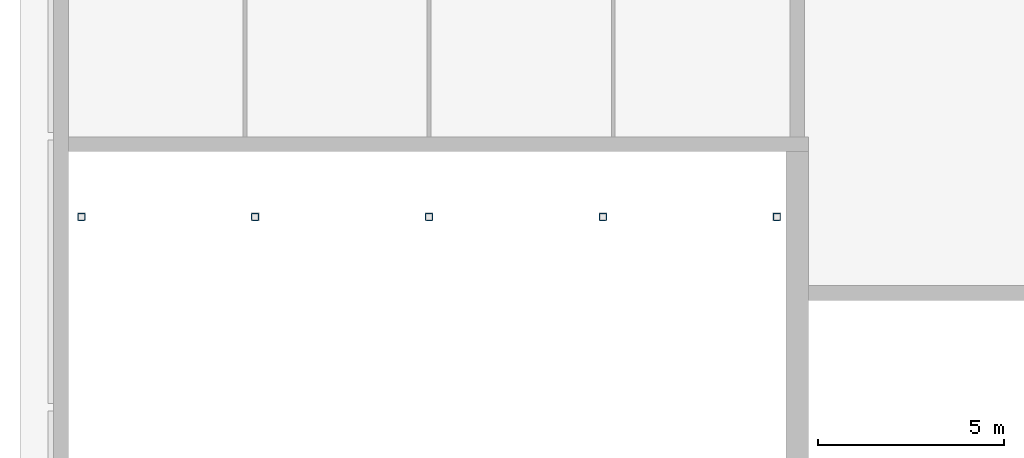
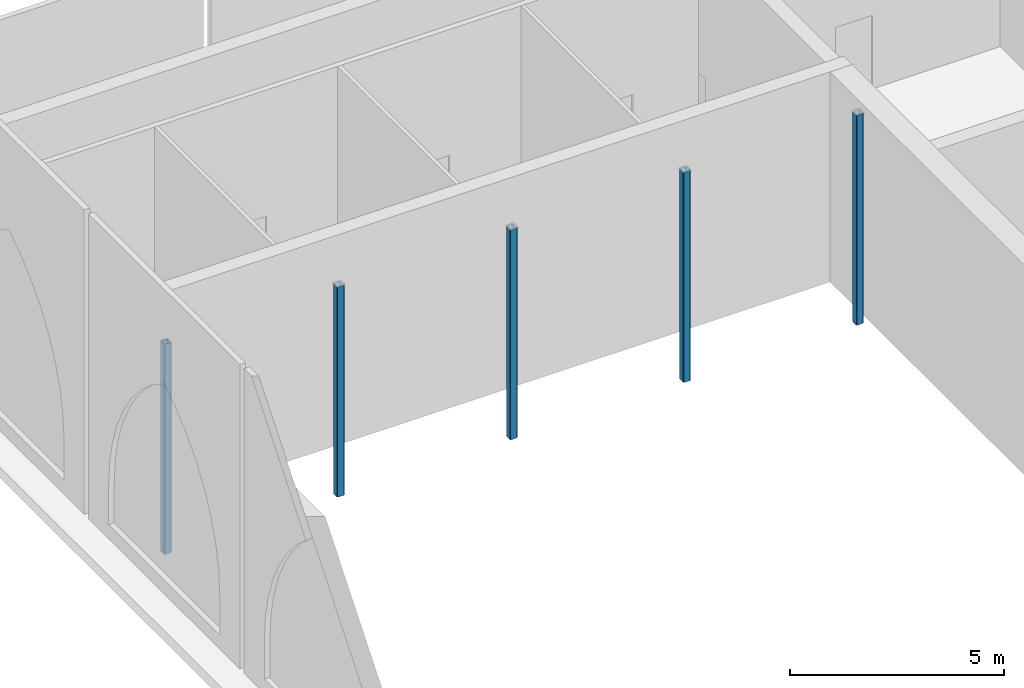
# One storey, part 3 of 74: 5 columns.
"""IFC4 building model written with IfcOpenShell, lengths in metres."""

from ifc_helpers import new_model, si_unit, direction, frame, origin, origin_2d, place, context, subcontext, project, spatial, hollow_rectangle, extrude, material, material_profile, profile_set, type_object, element, save


model = new_model("IFC4")

# Units and contexts
model_context = context("Model", 3, precision=1e-05, world=origin(), true_north=direction((0.0, 1.0)))
body_context = subcontext(model_context, "Body", "Model", "MODEL_VIEW")
ifc_project = project(units=[si_unit("LENGTHUNIT", "METRE"), si_unit("AREAUNIT", "SQUARE_METRE"), si_unit("VOLUMEUNIT", "CUBIC_METRE"), si_unit("PLANEANGLEUNIT", "RADIAN"), si_unit("MASSUNIT", "GRAM", prefix="KILO")], contexts=[model_context])

# Site, building, storey
site_placement = place(None, origin())
site = spatial("IfcSite", under=ifc_project, at=site_placement, CompositionType="ELEMENT")
building_placement = place(site_placement, origin())
building = spatial("IfcBuilding", under=site, at=building_placement, Name="Noorbagh Ring Tower", CompositionType="ELEMENT")
storey_placement = place(building_placement, frame((0.0, 0.0, 13.5)))
storey = spatial("IfcBuildingStorey", under=building, at=storey_placement, Name="L02", CompositionType="ELEMENT", Elevation=13.5)

# Columns
ifc_material = material(Name="Steel S355", Category="steel")
ifc_material_profile = material_profile(ifc_material, hollow_rectangle(XDim=0.199951171875, YDim=0.199951171875, WallThickness=0.012451171875, InnerFilletRadius=0.012451171875, OuterFilletRadius=0.03125, at=origin_2d()), Name="SHS200x200x12.5")
ifc_profile_set = profile_set([ifc_material_profile], Name="Steel S355")
column_type = type_object("IfcColumnType", Name="TH-COL-POST", PredefinedType="COLUMN", material=ifc_profile_set)
for number, where, z_axis, x_axis, name in (
    (1, (-159.25, 21.050048828125, 0.0), (0.0, 0.0, 1.0), (1.0, 0.0, 0.0), "L02/th-col/gal-N0"),
    (2, (-154.574951171875, 21.050048828125, 0.0), (0.0, 0.0, 1.0), (1.0, 0.0, 0.0), "L02/th-col/gal-N1"),
    (3, (-149.89990234375, 21.050048828125, 0.0), (0.0, 0.0, 1.0), (1.0, 0.0, 0.0), "L02/th-col/gal-N2"),
    (4, (-145.22509765625, 21.050048828125, 0.0), (0.0, 0.0, 1.0), (1.0, 0.0, 0.0), "L02/th-col/gal-N3"),
    (5, (-140.550048828125, 21.050048828125, 0.0), (0.0, 0.0, 1.0), (1.0, 0.0, 0.0), "L02/th-col/gal-N4"),
):
    element("IfcColumn", number, at=place(storey_placement, frame(where, z_axis=z_axis, x_axis=x_axis)), inside=storey, type_object=column_type, Name=name, PredefinedType="COLUMN", context=body_context, shape_type="SweptSolid", body=[
        extrude(hollow_rectangle(XDim=0.199951171875, YDim=0.199951171875, WallThickness=0.012451171875, InnerFilletRadius=0.012451171875, OuterFilletRadius=0.03125, at=origin_2d()), origin(), (0.0, 0.0, 1.0), 6.0),
    ])

save(model, "model.ifc")
